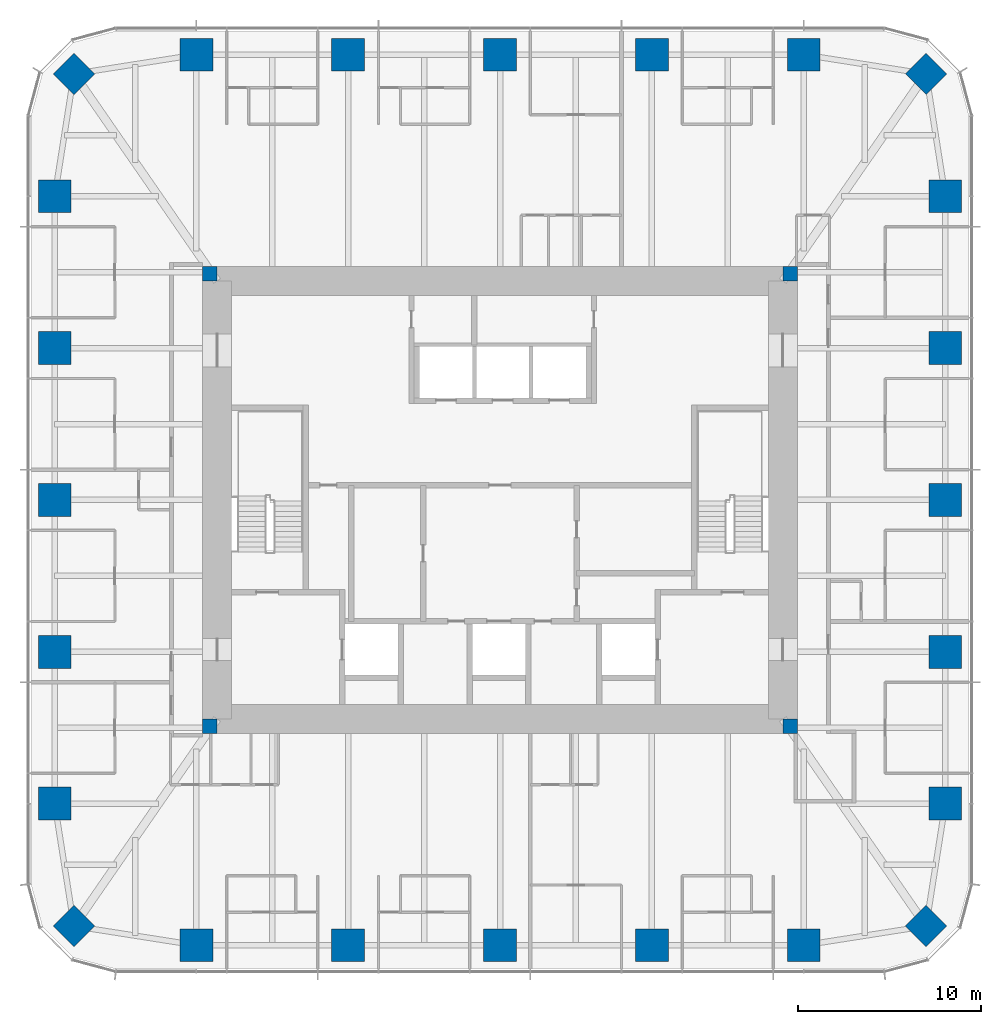
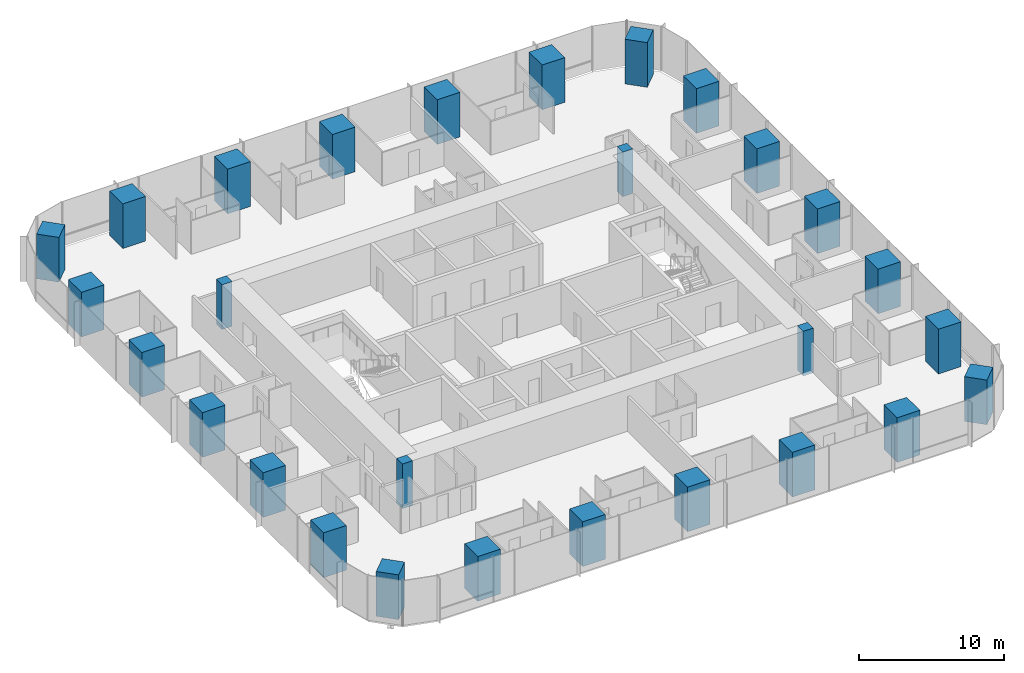
# One storey, part 1 of 13: 28 columns.
"""IFC4 building model written with IfcOpenShell, lengths in metres."""

import ifcopenshell
import ifcopenshell.guid

model = None  # the IFC model being written
_history = None  # IfcOwnerHistory: only IFC2X3 demands one
_inside = {}  # id of a spatial element -> (the spatial element, [elements in it])
_under = {}  # id of a project, library or spatial element -> (it, [spatial elements below it])
_declared = {}  # id of a project -> (the project, [libraries it declares])
_typed = {}  # id of a type object -> (the type object, [elements of that type])
_made_of = {}  # id of a material, layer set ... -> (it, [elements and type objects made of it])


def new_model(schema):
    """Start an empty IFC model of exactly this schema.

    Asked for "IFC4X3", IfcOpenShell would pick the latest addendum, in which some entities
    have other attributes; the version numbers below select the first issue.
    IFC2X3 requires an IfcOwnerHistory on every rooted entity: one is made here for all.
    """
    global model, _history
    if schema == "IFC4X3":
        model = ifcopenshell.file(schema_version=(4, 3, 0, 0))
    else:
        model = ifcopenshell.file(schema=schema)
    _inside.clear()
    _under.clear()
    _declared.clear()
    _typed.clear()
    _made_of.clear()
    _history = None
    if model.schema == "IFC2X3":
        org = make("IfcOrganization", Name="unknown")
        user = make(
            "IfcPersonAndOrganization",
            ThePerson=make("IfcPerson", FamilyName="unknown"),
            TheOrganization=org,
        )
        app = make(
            "IfcApplication",
            ApplicationDeveloper=org,
            Version="unknown",
            ApplicationFullName="unknown",
            ApplicationIdentifier="unknown",
        )
        _history = make(
            "IfcOwnerHistory",
            OwningUser=user,
            OwningApplication=app,
            ChangeAction="ADDED",
            CreationDate=0,
        )
    return model


def make(cls, **values):
    """One entity of the class cls with the attributes given. An attribute that is None is left unset."""
    return model.create_entity(
        cls, **{name: value for name, value in values.items() if value is not None}
    )


def rooted(cls, **values):
    """An entity with a GlobalId (a new one), such as an element, a storey or a relation."""
    return make(cls, GlobalId=ifcopenshell.guid.new(), OwnerHistory=_history, **values)


def si_unit(unit_type, name, prefix=None):
    """IfcSIUnit, for example si_unit("LENGTHUNIT", "METRE", prefix="MILLI")."""
    return make("IfcSIUnit", UnitType=unit_type, Prefix=prefix, Name=name)


def assignment(units):
    """IfcUnitAssignment: the units of a project."""
    return None if units is None else make("IfcUnitAssignment", Units=units)


def point(xyz):
    """IfcCartesianPoint."""
    return None if xyz is None else make("IfcCartesianPoint", Coordinates=xyz)


def direction(xyz):
    """IfcDirection."""
    return None if xyz is None else make("IfcDirection", DirectionRatios=xyz)


def frame(location, z_axis=None, x_axis=None):
    """IfcAxis2Placement3D, a coordinate frame: its origin and axes. An axis left out is left unset."""
    return make(
        "IfcAxis2Placement3D",
        Location=point(location),
        Axis=direction(z_axis),
        RefDirection=direction(x_axis),
    )


def frame_2d(location, x_axis=None):
    """IfcAxis2Placement2D, a coordinate frame in the plane: its origin and x axis."""
    return make(
        "IfcAxis2Placement2D", Location=point(location), RefDirection=direction(x_axis)
    )


def origin():
    """The frame at (0, 0, 0) with its axes left unset."""
    return frame((0.0, 0.0, 0.0))


def origin_2d():
    """The frame at (0, 0) in the plane with its x axis left unset."""
    return frame_2d((0.0, 0.0))


def place(relative_to, where):
    """IfcLocalPlacement: puts the frame where relative to a parent placement (None: the world)."""
    return make(
        "IfcLocalPlacement", PlacementRelTo=relative_to, RelativePlacement=where
    )


def context(
    kind, dimensions, precision=None, world=None, true_north=None, identifier=None
):
    """IfcGeometricRepresentationContext, for example the 3D "Model" context."""
    return make(
        "IfcGeometricRepresentationContext",
        ContextIdentifier=identifier,
        ContextType=kind,
        CoordinateSpaceDimension=dimensions,
        Precision=precision,
        WorldCoordinateSystem=world,
        TrueNorth=true_north,
    )


def subcontext(parent, identifier, kind, view, scale=None):
    """IfcGeometricRepresentationSubContext, for example "Body" below "Model"."""
    return make(
        "IfcGeometricRepresentationSubContext",
        ContextIdentifier=identifier,
        ContextType=kind,
        ParentContext=parent,
        TargetScale=scale,
        TargetView=view,
    )


def project(units=None, contexts=None):
    """IfcProject with its units and contexts."""
    return rooted(
        "IfcProject",
        Name="project",
        RepresentationContexts=contexts,
        UnitsInContext=assignment(units),
    )


def spatial(cls, under=None, at=None, **own):
    """A site, building, storey or space (cls), placed at a placement, below another one or the project."""
    s = rooted(cls, ObjectPlacement=at, **own)
    if under is not None:
        _under.setdefault(under.id(), (under, []))[1].append(s)
    return s


def profile(cls, at=None, kind="AREA", **sizes):
    """A parametric profile (cls). Its sizes go by their IFC names, for example OverallWidth=200.0."""
    return make(cls, ProfileType=kind, Position=at, **sizes)


def rectangle(**sizes):
    """IfcRectangleProfileDef."""
    return profile("IfcRectangleProfileDef", **sizes)


def extrude(swept, where, along, depth):
    """IfcExtrudedAreaSolid: the profile swept, set in the frame where, extruded along a direction by depth."""
    return make(
        "IfcExtrudedAreaSolid",
        SweptArea=swept,
        Position=where,
        ExtrudedDirection=direction(along),
        Depth=depth,
    )


def shape(context_of_items, identifier, shape_type, items):
    """IfcShapeRepresentation: the items that make up one representation, for example the "Body"."""
    return make(
        "IfcShapeRepresentation",
        ContextOfItems=context_of_items,
        RepresentationIdentifier=identifier,
        RepresentationType=shape_type,
        Items=items,
    )


def material(Name=None, Category=None):
    """IfcMaterial."""
    return make("IfcMaterial", Name=Name, Category=Category)


def material_profile(
    of_material, cross_section, Name=None, Category=None, Priority=None
):
    """IfcMaterialProfile: a cross section and its material."""
    return make(
        "IfcMaterialProfile",
        Name=Name,
        Material=of_material,
        Profile=cross_section,
        Priority=Priority,
        Category=Category,
    )


def profile_set(profiles, Name=None, composite=None):
    """IfcMaterialProfileSet."""
    return make(
        "IfcMaterialProfileSet",
        Name=Name,
        MaterialProfiles=profiles,
        CompositeProfile=composite,
    )


def made_of(thing, what):
    """Note that an element or type object is made of a material, layer set ...; save() writes the relation."""
    if what is not None:
        _made_of.setdefault(what.id(), (what, []))[1].append(thing)
    return thing


def type_object(cls, material=None, **own):
    """A type object (cls), such as IfcWallType, which elements share."""
    return made_of(rooted(cls, **own), material)


def element(
    cls,
    number,
    at=None,
    inside=None,
    cuts=None,
    type_object=None,
    material=None,
    context=None,
    identifier="Body",
    shape_type=None,
    held_by="IfcProductDefinitionShape",
    body=None,
    shapes=None,
    **own,
):
    """One element of the class cls, such as IfcWall. Its Tag is "e" and its number.

    at: its placement. inside: the storey or other place that contains it. cuts: it is an
    opening in that element (IfcRelVoidsElement). A single representation is given by context,
    identifier, shape_type and body (its items); several are given by shapes. held_by: the class
    of the entity that holds the representations. save() writes the other relations.
    """
    e = rooted(cls, Tag="e%d" % number, ObjectPlacement=at, **own)
    if body is not None:
        shapes = [shape(context, identifier, shape_type, body)]
    if shapes is not None:
        e.Representation = make(held_by, Representations=shapes)
    if inside is not None:
        _inside.setdefault(inside.id(), (inside, []))[1].append(e)
    if cuts is not None:
        rooted(
            "IfcRelVoidsElement", RelatingBuildingElement=cuts, RelatedOpeningElement=e
        )
    if type_object is not None:
        _typed.setdefault(type_object.id(), (type_object, []))[1].append(e)
    return made_of(e, material)


def aggregate(whole, parts):
    """IfcRelAggregates: a whole, such as a stair, and the parts it consists of."""
    return rooted("IfcRelAggregates", RelatingObject=whole, RelatedObjects=parts)


def save(model, path):
    """Write the relations noted so far, then the file.

    IfcRelAggregates (storeys below a building ...), IfcRelContainedInSpatialStructure (elements
    in a storey), IfcRelDefinesByType, IfcRelAssociatesMaterial and IfcRelDeclares: one each for
    every whole, place, type object, material and project.
    """
    for whole, parts in _under.values():
        aggregate(whole, parts)
    for where, things in _inside.values():
        rooted(
            "IfcRelContainedInSpatialStructure",
            RelatedElements=things,
            RelatingStructure=where,
        )
    for kind, things in _typed.values():
        rooted("IfcRelDefinesByType", RelatedObjects=things, RelatingType=kind)
    for what, things in _made_of.values():
        rooted("IfcRelAssociatesMaterial", RelatedObjects=things, RelatingMaterial=what)
    for by, libraries in _declared.values():
        rooted("IfcRelDeclares", RelatingContext=by, RelatedDefinitions=libraries)
    model.write(path)


model = new_model("IFC4")

# Units and contexts
model_context = context("Model", 3, precision=1e-05, world=origin(), true_north=direction((0.0, 1.0)))
body_context = subcontext(model_context, "Body", "Model", "MODEL_VIEW")
ifc_project = project(units=[si_unit("LENGTHUNIT", "METRE"), si_unit("AREAUNIT", "SQUARE_METRE"), si_unit("VOLUMEUNIT", "CUBIC_METRE"), si_unit("PLANEANGLEUNIT", "RADIAN"), si_unit("MASSUNIT", "GRAM", prefix="KILO")], contexts=[model_context])

# Site, building, storey
site_placement = place(None, origin())
site = spatial("IfcSite", under=ifc_project, at=site_placement, CompositionType="ELEMENT")
building_placement = place(site_placement, origin())
building = spatial("IfcBuilding", under=site, at=building_placement, Name="Khuree Lantern Residences", CompositionType="ELEMENT")
storey_placement = place(building_placement, frame((0.0, 0.0, 252.0)))
storey = spatial("IfcBuildingStorey", under=building, at=storey_placement, Name="L63", CompositionType="ELEMENT", Elevation=252.0)

# Columns
ifc_material_1 = material(Name="Concrete C70/85", Category="concrete")
ifc_material_profile_1 = material_profile(ifc_material_1, rectangle(XDim=1.60009765625, YDim=1.60009765625, at=origin_2d()), Name="RC 1600X1600")
ifc_profile_set_1 = profile_set([ifc_material_profile_1], Name="Concrete C70/85")
column_type_1 = type_object("IfcColumnType", Name="CC1600A PERIMETER CORNER COLUMN RC 1600X1600", PredefinedType="COLUMN", material=ifc_profile_set_1)
for number, where, z_axis, x_axis, name in (
    (1, (23.345703125, 23.345703125, 0.0), (0.0, 0.0, 1.0), (0.707106781187, -0.707106781187, 0.0), "Perimeter column NE"),
    (2, (23.345703125, -23.345703125, 0.0), (0.0, 0.0, 1.0), (0.707106781187, 0.707106781187, 0.0), "Perimeter column SE"),
    (3, (-23.345703125, -23.345703125, 0.0), (0.0, 0.0, 1.0), (0.707106781187, -0.707106781187, 0.0), "Perimeter column SW"),
    (4, (-23.345703125, 23.345703125, 0.0), (0.0, 0.0, 1.0), (0.707106781187, 0.707106781187, 0.0), "Perimeter column NW"),
):
    element("IfcColumn", number, at=place(storey_placement, frame(where, z_axis=z_axis, x_axis=x_axis)), inside=storey, type_object=column_type_1, Name=name, PredefinedType="COLUMN", context=body_context, shape_type="SweptSolid", body=[
        extrude(rectangle(XDim=1.60009765625, YDim=1.60009765625, at=origin_2d()), origin(), (0.0, 0.0, 1.0), 3.75),
    ])
ifc_material_2 = material(Name="Concrete C50/60", Category="concrete")
ifc_material_profile_2 = material_profile(ifc_material_2, rectangle(XDim=0.800048828125, YDim=0.800048828125, at=origin_2d()), Name="RC 800X800")
ifc_profile_set_2 = profile_set([ifc_material_profile_2], Name="Concrete C50/60")
column_type_2 = type_object("IfcColumnType", Name="CP800-C50 CORE CORNER PIER C50 RC 800X800", PredefinedType="COLUMN", material=ifc_profile_set_2)
for number, where, z_axis, x_axis, name in (
    (5, (15.89990234375, 12.39990234375, -0.25), (0.0, 0.0, 1.0), (1.0, 0.0, 0.0), "Core corner pier NE"),
    (6, (-15.89990234375, 12.39990234375, -0.25), (0.0, 0.0, 1.0), (1.0, 0.0, 0.0), "Core corner pier NW"),
    (7, (-15.89990234375, -12.39990234375, -0.25), (0.0, 0.0, 1.0), (1.0, 0.0, 0.0), "Core corner pier SW"),
    (8, (15.89990234375, -12.39990234375, -0.25), (0.0, 0.0, 1.0), (1.0, 0.0, 0.0), "Core corner pier SE"),
):
    element("IfcColumn", number, at=place(storey_placement, frame(where, z_axis=z_axis, x_axis=x_axis)), inside=storey, type_object=column_type_2, Name=name, PredefinedType="COLUMN", context=body_context, shape_type="SweptSolid", body=[
        extrude(rectangle(XDim=0.800048828125, YDim=0.800048828125, at=origin_2d()), origin(), (0.0, 0.0, 1.0), 3.75),
    ])
ifc_material_profile_3 = material_profile(ifc_material_1, rectangle(XDim=1.800048828125, YDim=1.800048828125, at=origin_2d()), Name="RC 1800X1800")
ifc_profile_set_3 = profile_set([ifc_material_profile_3], Name="Concrete C70/85")
column_type_3 = type_object("IfcColumnType", Name="PC4 PERIMETER COLUMN RC 1800X1800", PredefinedType="COLUMN", material=ifc_profile_set_3)
for number, where, z_axis, x_axis, name in (
    (9, (-16.639892578125, 24.39990234375, 0.0), (0.0, 0.0, 1.0), (1.0, 0.0, 0.0), "Perimeter column N1"),
    (10, (-8.320068359375, 24.39990234375, 0.0), (0.0, 0.0, 1.0), (1.0, 0.0, 0.0), "Perimeter column N2"),
    (11, (0.0, 24.39990234375, 0.0), (0.0, 0.0, 1.0), (1.0, 0.0, 0.0), "Perimeter column N3"),
    (12, (8.320068359375, 24.39990234375, 0.0), (0.0, 0.0, 1.0), (1.0, 0.0, 0.0), "Perimeter column N4"),
    (13, (16.639892578125, 24.39990234375, 0.0), (0.0, 0.0, 1.0), (1.0, 0.0, 0.0), "Perimeter column N5"),
    (14, (24.39990234375, 16.639892578125, 0.0), (0.0, 0.0, 1.0), (0.0, 1.0, 0.0), "Perimeter column E1"),
    (15, (24.39990234375, 8.320068359375, 0.0), (0.0, 0.0, 1.0), (0.0, 1.0, 0.0), "Perimeter column E2"),
    (16, (24.39990234375, 0.0, 0.0), (0.0, 0.0, 1.0), (0.0, 1.0, 0.0), "Perimeter column E3"),
    (17, (24.39990234375, -8.320068359375, 0.0), (0.0, 0.0, 1.0), (0.0, 1.0, 0.0), "Perimeter column E4"),
    (18, (24.39990234375, -16.639892578125, 0.0), (0.0, 0.0, 1.0), (0.0, 1.0, 0.0), "Perimeter column E5"),
    (19, (16.639892578125, -24.39990234375, 0.0), (0.0, 0.0, 1.0), (1.0, 0.0, 0.0), "Perimeter column S1"),
    (20, (8.320068359375, -24.39990234375, 0.0), (0.0, 0.0, 1.0), (1.0, 0.0, 0.0), "Perimeter column S2"),
    (21, (0.0, -24.39990234375, 0.0), (0.0, 0.0, 1.0), (1.0, 0.0, 0.0), "Perimeter column S3"),
    (22, (-8.320068359375, -24.39990234375, 0.0), (0.0, 0.0, 1.0), (1.0, 0.0, 0.0), "Perimeter column S4"),
    (23, (-16.639892578125, -24.39990234375, 0.0), (0.0, 0.0, 1.0), (1.0, 0.0, 0.0), "Perimeter column S5"),
    (24, (-24.39990234375, -16.639892578125, 0.0), (0.0, 0.0, 1.0), (0.0, 1.0, 0.0), "Perimeter column W1"),
    (25, (-24.39990234375, -8.320068359375, 0.0), (0.0, 0.0, 1.0), (0.0, 1.0, 0.0), "Perimeter column W2"),
    (26, (-24.39990234375, 0.0, 0.0), (0.0, 0.0, 1.0), (0.0, 1.0, 0.0), "Perimeter column W3"),
    (27, (-24.39990234375, 8.320068359375, 0.0), (0.0, 0.0, 1.0), (0.0, 1.0, 0.0), "Perimeter column W4"),
    (28, (-24.39990234375, 16.639892578125, 0.0), (0.0, 0.0, 1.0), (0.0, 1.0, 0.0), "Perimeter column W5"),
):
    element("IfcColumn", number, at=place(storey_placement, frame(where, z_axis=z_axis, x_axis=x_axis)), inside=storey, type_object=column_type_3, Name=name, PredefinedType="COLUMN", context=body_context, shape_type="SweptSolid", body=[
        extrude(rectangle(XDim=1.800048828125, YDim=1.800048828125, at=origin_2d()), origin(), (0.0, 0.0, 1.0), 3.75),
    ])

save(model, "model.ifc")
